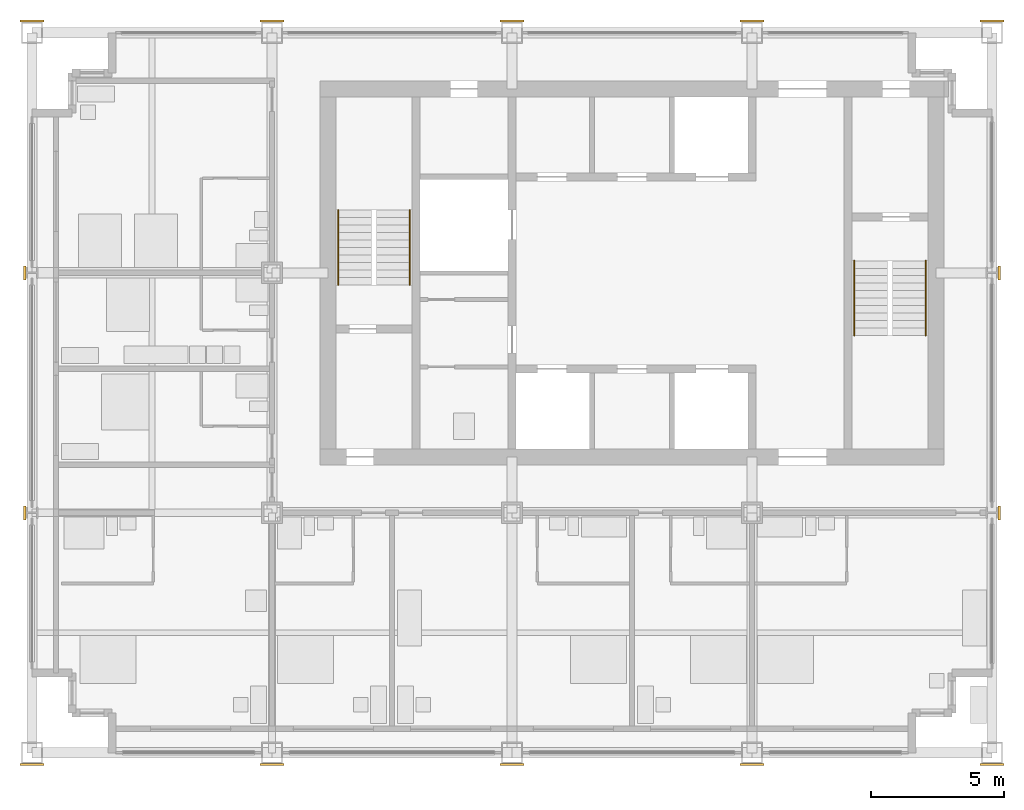
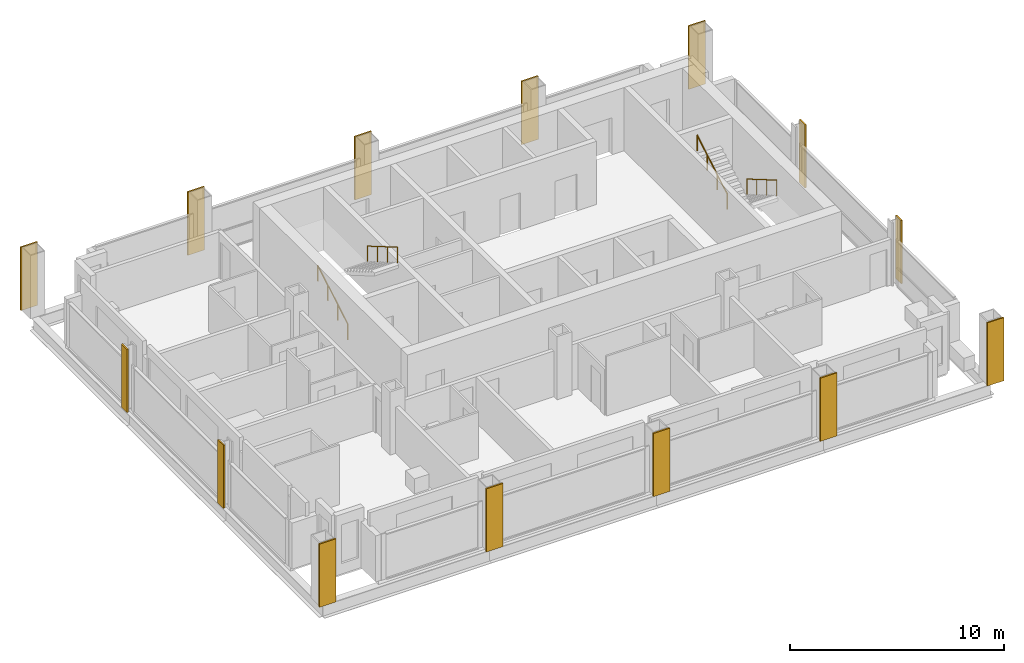
# One storey, part 10 of 12: 14 coverings, 4 railings.
"""IFC4 building model written with IfcOpenShell, lengths in metres."""

from ifc_helpers import new_model, si_unit, direction, frame, origin, origin_2d, place, context, subcontext, project, spatial, rectangle, circle, extrude, material, layer, layer_set, type_object, element, save


model = new_model("IFC4")

# Units and contexts
model_context = context("Model", 3, precision=1e-05, world=origin(), true_north=direction((0.0, 1.0)))
body_context = subcontext(model_context, "Body", "Model", "MODEL_VIEW")
ifc_project = project(units=[si_unit("LENGTHUNIT", "METRE"), si_unit("AREAUNIT", "SQUARE_METRE"), si_unit("VOLUMEUNIT", "CUBIC_METRE"), si_unit("PLANEANGLEUNIT", "RADIAN"), si_unit("MASSUNIT", "GRAM", prefix="KILO")], contexts=[model_context])

# Site, building, storey
site_placement = place(None, origin())
site = spatial("IfcSite", under=ifc_project, at=site_placement, CompositionType="ELEMENT")
building_placement = place(site_placement, origin())
building = spatial("IfcBuilding", under=site, at=building_placement, Name="Loomwork Tower", CompositionType="ELEMENT")
storey_placement = place(building_placement, frame((0.0, 0.0, 230.199951171875)))
storey = spatial("IfcBuildingStorey", under=building, at=storey_placement, Name="L63", CompositionType="ELEMENT", Elevation=230.199951171875)

# Railings
ifc_material_1 = material(Name="Stainless steel handrail", Category="steel")
railing_type = type_object("IfcRailingType", Name="Handrail 900", PredefinedType="HANDRAIL", material=ifc_material_1)
railing_1_placement = place(storey_placement, frame((11.485107421875, 17.550048828125, 0.16357421875)))
element("IfcRailing", 1, at=railing_1_placement, inside=storey, type_object=railing_type, Name="Stair A handrail flight 1 L63", PredefinedType="HANDRAIL", context=body_context, shape_type="SweptSolid", body=[
    extrude(circle(Radius=0.02392578125, at=origin_2d()), frame((0.0, 0.0, 0.8759765625), z_axis=(0.0, 0.863360870873, 0.504586966384), x_axis=(-1.0, 0.0, 0.0)), (0.0, 0.0, 1.0), 3.2431640625),
    extrude(circle(Radius=0.02099609375, at=origin_2d()), origin(), (0.0, 0.0, 1.0), 0.851806640625),
    extrude(circle(Radius=0.02099609375, at=origin_2d()), frame((0.0, 0.933349609375, 0.54541015625)), (0.0, 0.0, 1.0), 0.851806640625),
    extrude(circle(Radius=0.02099609375, at=origin_2d()), frame((0.0, 1.86669921875, 1.091064453125)), (0.0, 0.0, 1.0), 0.851806640625),
    extrude(circle(Radius=0.02099609375, at=origin_2d()), frame((0.0, 2.800048828125, 1.636474609375)), (0.0, 0.0, 1.0), 0.851806640625),
])
for number, where, name in (
    (2, (14.1650390625, 20.35009765625, 1.963623046875), "Stair A handrail flight 2 L63"),
    (3, (33.514892578125, 18.449951171875, 0.16357421875), "Stair B handrail flight 1 L63"),
):
    element("IfcRailing", number, at=place(storey_placement, frame(where)), inside=storey, type_object=railing_type, Name=name, PredefinedType="HANDRAIL", context=body_context, shape_type="SweptSolid", body=[
        extrude(circle(Radius=0.02392578125, at=origin_2d()), frame((0.0, 0.0, 0.8759765625), z_axis=(0.0, -0.863360870873, 0.504586966384), x_axis=(1.0, 0.0, 0.0)), (0.0, 0.0, 1.0), 3.2431640625),
        extrude(circle(Radius=0.02099609375, at=origin_2d()), origin(), (0.0, 0.0, 1.0), 0.851806640625),
        extrude(circle(Radius=0.02099609375, at=origin_2d()), frame((0.0, -0.933349609375, 0.54541015625)), (0.0, 0.0, 1.0), 0.851806640625),
        extrude(circle(Radius=0.02099609375, at=origin_2d()), frame((0.0, -1.86669921875, 1.091064453125)), (0.0, 0.0, 1.0), 0.851806640625),
        extrude(circle(Radius=0.02099609375, at=origin_2d()), frame((0.0, -2.800048828125, 1.636474609375)), (0.0, 0.0, 1.0), 0.851806640625),
    ])
railing_2_placement = place(storey_placement, frame((30.8349609375, 15.64990234375, 1.963623046875)))
element("IfcRailing", 4, at=railing_2_placement, inside=storey, type_object=railing_type, Name="Stair B handrail flight 2 L63", PredefinedType="HANDRAIL", context=body_context, shape_type="SweptSolid", body=[
    extrude(circle(Radius=0.02392578125, at=origin_2d()), frame((0.0, 0.0, 0.8759765625), z_axis=(0.0, 0.863360870873, 0.504586966384), x_axis=(-1.0, 0.0, 0.0)), (0.0, 0.0, 1.0), 3.2431640625),
    extrude(circle(Radius=0.02099609375, at=origin_2d()), origin(), (0.0, 0.0, 1.0), 0.851806640625),
    extrude(circle(Radius=0.02099609375, at=origin_2d()), frame((0.0, 0.933349609375, 0.54541015625)), (0.0, 0.0, 1.0), 0.851806640625),
    extrude(circle(Radius=0.02099609375, at=origin_2d()), frame((0.0, 1.86669921875, 1.091064453125)), (0.0, 0.0, 1.0), 0.851806640625),
    extrude(circle(Radius=0.02099609375, at=origin_2d()), frame((0.0, 2.800048828125, 1.636474609375)), (0.0, 0.0, 1.0), 0.851806640625),
])

# Coverings
ifc_material_2 = material(Name="Limestone", Category="masonry")
ifc_layer = layer(ifc_material_2, 0.080078125)
ifc_layer_set = layer_set([ifc_layer], Name="Limestone pier facing 80")
covering_type = type_object("IfcCoveringType", Name="Limestone pier facing 80", PredefinedType="CLADDING", material=ifc_layer_set)
covering_1_placement = place(storey_placement, frame((0.0, -0.43994140625, 0.0), z_axis=(0.0, 0.0, 1.0), x_axis=(1.0, 0.0, 0.0)))
element("IfcCovering", 5, at=covering_1_placement, inside=storey, type_object=covering_type, Name="Pier facing D/2 L63", PredefinedType="CLADDING", context=body_context, shape_type="SweptSolid", body=[
    extrude(rectangle(XDim=0.89990234375, YDim=0.080078125, at=origin_2d()), origin(), (0.0, 0.0, 1.0), 3.60009765625),
])
for number, where, z_axis, x_axis, name in (
    (6, (-0.2724609375, 9.0, 0.0), (0.0, 0.0, 1.0), (1.0, 0.0, 0.0), "Pier facing E/2 L63"),
    (7, (-0.2724609375, 18.0, 0.0), (0.0, 0.0, 1.0), (1.0, 0.0, 0.0), "Pier facing F/2 L63"),
):
    element("IfcCovering", number, at=place(storey_placement, frame(where, z_axis=z_axis, x_axis=x_axis)), inside=storey, type_object=covering_type, Name=name, PredefinedType="CLADDING", context=body_context, shape_type="SweptSolid", body=[
        extrude(rectangle(XDim=0.080078125, YDim=0.521484375, at=origin_2d()), origin(), (0.0, 0.0, 1.0), 3.60009765625),
    ])
for number, where, z_axis, x_axis, name in (
    (8, (0.0, 27.43994140625, 0.0), (0.0, 0.0, 1.0), (1.0, 0.0, 0.0), "Pier facing G/2 L63"),
    (9, (9.0, -0.43994140625, 0.0), (0.0, 0.0, 1.0), (1.0, 0.0, 0.0), "Pier facing D/3 L63"),
    (10, (9.0, 27.43994140625, 0.0), (0.0, 0.0, 1.0), (1.0, 0.0, 0.0), "Pier facing G/3 L63"),
    (11, (18.0, -0.43994140625, 0.0), (0.0, 0.0, 1.0), (1.0, 0.0, 0.0), "Pier facing D/4 L63"),
    (12, (18.0, 27.43994140625, 0.0), (0.0, 0.0, 1.0), (1.0, 0.0, 0.0), "Pier facing G/4 L63"),
    (13, (27.0, -0.43994140625, 0.0), (0.0, 0.0, 1.0), (1.0, 0.0, 0.0), "Pier facing D/5 L63"),
    (14, (27.0, 27.43994140625, 0.0), (0.0, 0.0, 1.0), (1.0, 0.0, 0.0), "Pier facing G/5 L63"),
    (15, (36.0, -0.43994140625, 0.0), (0.0, 0.0, 1.0), (1.0, 0.0, 0.0), "Pier facing D/6 L63"),
):
    element("IfcCovering", number, at=place(storey_placement, frame(where, z_axis=z_axis, x_axis=x_axis)), inside=storey, type_object=covering_type, Name=name, PredefinedType="CLADDING", context=body_context, shape_type="SweptSolid", body=[
        extrude(rectangle(XDim=0.89990234375, YDim=0.080078125, at=origin_2d()), origin(), (0.0, 0.0, 1.0), 3.60009765625),
    ])
for number, where, z_axis, x_axis, name in (
    (16, (36.2724609375, 9.0, 0.0), (0.0, 0.0, 1.0), (1.0, 0.0, 0.0), "Pier facing E/6 L63"),
    (17, (36.2724609375, 18.0, 0.0), (0.0, 0.0, 1.0), (1.0, 0.0, 0.0), "Pier facing F/6 L63"),
):
    element("IfcCovering", number, at=place(storey_placement, frame(where, z_axis=z_axis, x_axis=x_axis)), inside=storey, type_object=covering_type, Name=name, PredefinedType="CLADDING", context=body_context, shape_type="SweptSolid", body=[
        extrude(rectangle(XDim=0.080078125, YDim=0.521484375, at=origin_2d()), origin(), (0.0, 0.0, 1.0), 3.60009765625),
    ])
covering_2_placement = place(storey_placement, frame((36.0, 27.43994140625, 0.0), z_axis=(0.0, 0.0, 1.0), x_axis=(1.0, 0.0, 0.0)))
element("IfcCovering", 18, at=covering_2_placement, inside=storey, type_object=covering_type, Name="Pier facing G/6 L63", PredefinedType="CLADDING", context=body_context, shape_type="SweptSolid", body=[
    extrude(rectangle(XDim=0.89990234375, YDim=0.080078125, at=origin_2d()), origin(), (0.0, 0.0, 1.0), 3.60009765625),
])

save(model, "model.ifc")
